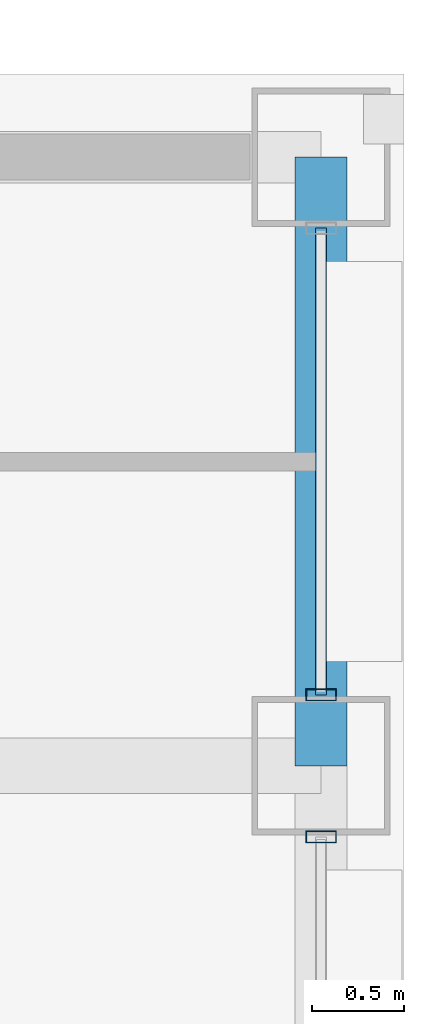
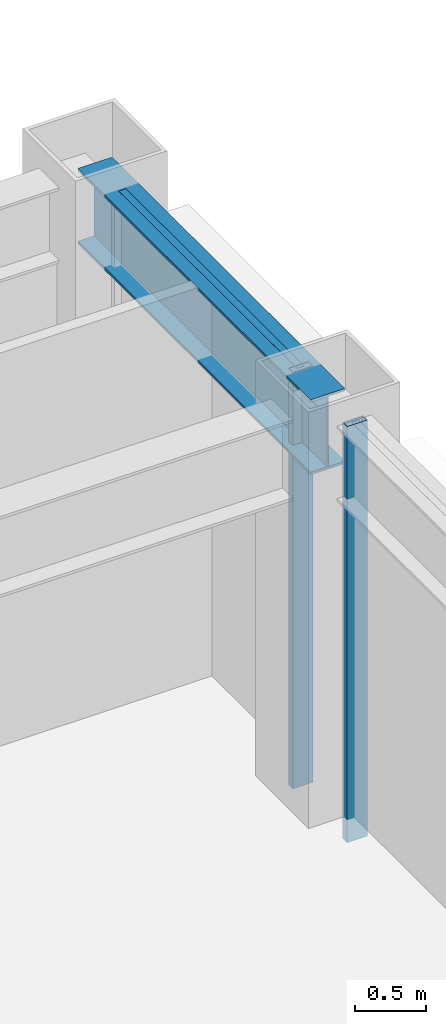
# One storey, part 17 of 28: 3 members, 1 beam, 2 elements without a shape of their own.
"""IFC4 building model written with IfcOpenShell, lengths in metres."""

from ifc_helpers import new_model, si_unit, direction, frame, origin, origin_2d, place, context, subcontext, project, spatial, hollow_rectangle, i_section, extrude, material, layer, layer_set, material_profile, profile_set, type_object, element, aggregate, save


model = new_model("IFC4")

# Units and contexts
model_context = context("Model", 3, precision=1e-05, world=origin(), true_north=direction((0.0, 1.0)))
body_context = subcontext(model_context, "Body", "Model", "MODEL_VIEW")
ifc_project = project(units=[si_unit("LENGTHUNIT", "METRE"), si_unit("AREAUNIT", "SQUARE_METRE"), si_unit("VOLUMEUNIT", "CUBIC_METRE"), si_unit("PLANEANGLEUNIT", "RADIAN"), si_unit("MASSUNIT", "GRAM", prefix="KILO")], contexts=[model_context])

# Site, building, storey
site_placement = place(None, origin())
site = spatial("IfcSite", under=ifc_project, at=site_placement, CompositionType="ELEMENT")
building_placement = place(site_placement, origin())
building = spatial("IfcBuilding", under=site, at=building_placement, Name="Brelmoor Portico Tower", CompositionType="ELEMENT")
storey_placement = place(building_placement, frame((0.0, 0.0, 165.89990234375)))
storey = spatial("IfcBuildingStorey", under=building, at=storey_placement, Name="L43", CompositionType="ELEMENT", Elevation=165.89990234375)

# Beam
ifc_material_1 = material(Name="Steel Q355B", Category="steel")
ifc_material_profile_1 = material_profile(ifc_material_1, i_section(OverallWidth=0.280029296875, OverallDepth=0.64990234375, WebThickness=0.012939453125, FlangeThickness=0.02197265625, at=origin_2d()), Name="HN 650x280x13x22")
ifc_profile_set_1 = profile_set([ifc_material_profile_1], Name="Steel Q355B")
beam_type = type_object("IfcBeamType", Name="BM-SP-650", PredefinedType="SPANDREL", material=ifc_profile_set_1)
beam_placement = place(storey_placement, frame((20.550048828125, 9.75, 3.0751953125), z_axis=(0.0, 1.0, 0.0), x_axis=(-1.0, 0.0, 0.0)))
element("IfcBeam", 1, at=beam_placement, inside=storey, type_object=beam_type, Name="L43 Perimeter Spandrel Beam SP-20", PredefinedType="SPANDREL", context=body_context, shape_type="SweptSolid", body=[
    extrude(i_section(OverallWidth=0.280029296875, OverallDepth=0.64990234375, WebThickness=0.012939453125, FlangeThickness=0.02197265625, at=origin_2d()), origin(), (0.0, 0.0, 1.0), 3.300048828125),
])

# Curtain wall, member
ifc_material_2 = material(Name="Anodised Aluminium Alloy 6063-T6", Category="aluminium")
ifc_layer = layer(ifc_material_2, 0.179931640625)
ifc_layer_set = layer_set([ifc_layer], Name="Anodised Aluminium Alloy 6063-T6")
curtain_wall_type = type_object("IfcCurtainWallType", Name="CW-TOWER-Z3-XB", PredefinedType="NOTDEFINED", material=ifc_layer_set)
curtain_wall_1_placement = place(storey_placement, origin())
curtain_wall_1 = element("IfcCurtainWall", 2, at=curtain_wall_1_placement, inside=storey, type_object=curtain_wall_type, Name="L43 Curtain Wall CW-L43-04-2", PredefinedType="NOTDEFINED")
ifc_material_profile_2 = material_profile(ifc_material_2, hollow_rectangle(XDim=0.06494140625, YDim=0.1650390625, WallThickness=0.00390625, at=origin_2d()), Name="ALU MULLION 65x165")
ifc_profile_set_2 = profile_set([ifc_material_profile_2], Name="Anodised Aluminium Alloy 6063-T6")
member_type_1 = type_object("IfcMemberType", Name="MB-CW-MULL-165", PredefinedType="MULLION", material=ifc_profile_set_2)
member_1_placement = place(storey_placement, frame((20.550048828125, 9.364990234375, -0.199951171875), z_axis=(0.0, 0.0, 1.0), x_axis=(0.0, 1.0, 0.0)))
member_1 = element("IfcMember", 3, at=member_1_placement, type_object=member_type_1, Name="CW-L43-04-2 Mullion 02", PredefinedType="MULLION", context=body_context, shape_type="SweptSolid", body=[
    extrude(hollow_rectangle(XDim=0.06494140625, YDim=0.1650390625, WallThickness=0.00390625, at=origin_2d()), origin(), (0.0, 0.0, 1.0), 3.60009765625),
])
aggregate(curtain_wall_1, [member_1])

# Curtain wall, members
curtain_wall_2_placement = place(storey_placement, origin())
curtain_wall_2 = element("IfcCurtainWall", 4, at=curtain_wall_2_placement, inside=storey, type_object=curtain_wall_type, Name="L43 Curtain Wall CW-L43-04-3", PredefinedType="NOTDEFINED")
member_2_placement = place(storey_placement, frame((20.550048828125, 10.135009765625, -0.199951171875), z_axis=(0.0, 0.0, 1.0), x_axis=(0.0, 1.0, 0.0)))
member_2 = element("IfcMember", 5, at=member_2_placement, type_object=member_type_1, Name="CW-L43-04-3 Mullion 00", PredefinedType="MULLION", context=body_context, shape_type="SweptSolid", body=[
    extrude(hollow_rectangle(XDim=0.06494140625, YDim=0.1650390625, WallThickness=0.00390625, at=origin_2d()), origin(), (0.0, 0.0, 1.0), 3.60009765625),
])
ifc_material_profile_3 = material_profile(ifc_material_2, hollow_rectangle(XDim=0.06005859375, YDim=0.125, WallThickness=0.00341796875, at=origin_2d()), Name="ALU TRANSOM 60x125")
ifc_profile_set_3 = profile_set([ifc_material_profile_3], Name="Anodised Aluminium Alloy 6063-T6")
member_type_2 = type_object("IfcMemberType", Name="MB-CW-TRAN-125", PredefinedType="USERDEFINED", material=ifc_profile_set_3)
member_3_placement = place(storey_placement, frame((20.550048828125, 10.135009765625, 3.337646484375), z_axis=(0.0, 1.0, 0.0), x_axis=(-1.0, 0.0, 0.0)))
member_3 = element("IfcMember", 6, at=member_3_placement, type_object=member_type_2, Name="CW-L43-04-3 Transom 1-00", ObjectType="TRANSOM", PredefinedType="USERDEFINED", context=body_context, shape_type="SweptSolid", body=[
    extrude(hollow_rectangle(XDim=0.06005859375, YDim=0.125, WallThickness=0.00341796875, at=origin_2d()), origin(), (0.0, 0.0, 1.0), 2.530029296875),
])
aggregate(curtain_wall_2, [member_2, member_3])

save(model, "model.ifc")
